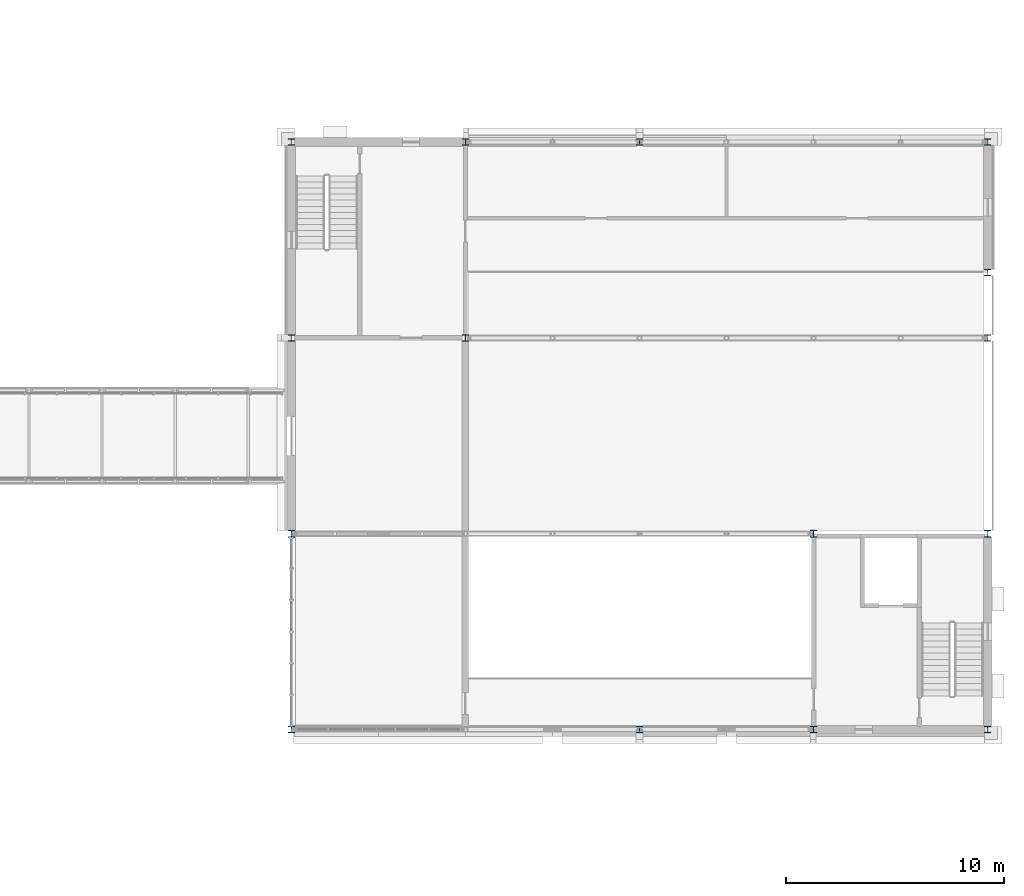
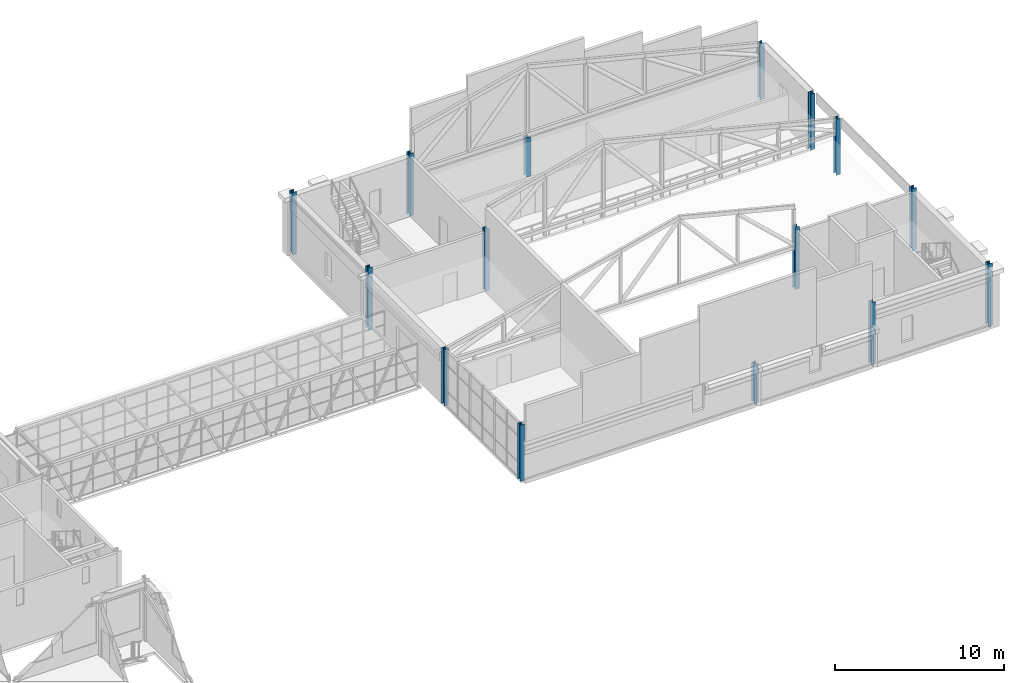
# One storey, part 13 of 149: 15 columns.
"""IFC4 building model written with IfcOpenShell, lengths in metres."""

from ifc_helpers import new_model, si_unit, direction, frame, origin, origin_2d, place, context, subcontext, project, spatial, i_section, extrude, material, material_profile, profile_set, type_object, element, save


model = new_model("IFC4")

# Units and contexts
model_context = context("Model", 3, precision=1e-05, world=origin(), true_north=direction((0.0, 1.0)))
body_context = subcontext(model_context, "Body", "Model", "MODEL_VIEW")
ifc_project = project(units=[si_unit("LENGTHUNIT", "METRE"), si_unit("AREAUNIT", "SQUARE_METRE"), si_unit("VOLUMEUNIT", "CUBIC_METRE"), si_unit("PLANEANGLEUNIT", "RADIAN"), si_unit("MASSUNIT", "GRAM", prefix="KILO")], contexts=[model_context])

# Site, building, storey
site_placement = place(None, origin())
site = spatial("IfcSite", under=ifc_project, at=site_placement, CompositionType="ELEMENT")
building_placement = place(site_placement, origin())
building = spatial("IfcBuilding", under=site, at=building_placement, Name="Kallimachos Central Library", CompositionType="ELEMENT")
storey_placement = place(building_placement, frame((0.0, 0.0, 9.89990234375)))
storey = spatial("IfcBuildingStorey", under=building, at=storey_placement, Name="L02", CompositionType="ELEMENT", Elevation=9.89990234375)

# Columns
ifc_material = material(Name="Steel S355J2", Category="steel")
ifc_material_profile = material_profile(ifc_material, i_section(OverallWidth=0.300048828125, OverallDepth=0.300048828125, WebThickness=0.010986328125, FlangeThickness=0.01904296875, FilletRadius=0.027099609375, at=origin_2d()), Name="HEB 300")
ifc_profile_set = profile_set([ifc_material_profile], Name="Steel S355J2")
column_type = type_object("IfcColumnType", Name="HEB 300 column", PredefinedType="COLUMN", material=ifc_profile_set)
column_1_placement = place(storey_placement, frame((138.0, 87.0, 0.0), z_axis=(0.0, 0.0, 1.0), x_axis=(1.0, 0.0, 0.0)))
element("IfcColumn", 1, at=column_1_placement, inside=storey, type_object=column_type, Name="V3-COL-L02-001", PredefinedType="COLUMN", context=body_context, shape_type="SweptSolid", body=[
    extrude(i_section(OverallWidth=0.300048828125, OverallDepth=0.300048828125, WebThickness=0.010986328125, FlangeThickness=0.01904296875, FilletRadius=0.027099609375, at=origin_2d()), origin(), (0.0, 0.0, 1.0), 4.050048828125),
])
column_2_placement = place(storey_placement, frame((170.0, 87.0, 0.0), z_axis=(0.0, 0.0, 1.0), x_axis=(1.0, 0.0, 0.0)))
element("IfcColumn", 2, at=column_2_placement, inside=storey, type_object=column_type, Name="V3-COL-L02-002", PredefinedType="COLUMN", context=body_context, shape_type="SweptSolid", body=[
    extrude(i_section(OverallWidth=0.300048828125, OverallDepth=0.300048828125, WebThickness=0.010986328125, FlangeThickness=0.01904296875, FilletRadius=0.027099609375, at=origin_2d()), origin(), (0.0, 0.0, 1.0), 4.5),
])
column_3_placement = place(storey_placement, frame((138.0, 96.0, 0.0), z_axis=(0.0, 0.0, 1.0), x_axis=(1.0, 0.0, 0.0)))
element("IfcColumn", 3, at=column_3_placement, inside=storey, type_object=column_type, Name="V3-COL-L02-003", PredefinedType="COLUMN", context=body_context, shape_type="SweptSolid", body=[
    extrude(i_section(OverallWidth=0.300048828125, OverallDepth=0.300048828125, WebThickness=0.010986328125, FlangeThickness=0.01904296875, FilletRadius=0.027099609375, at=origin_2d()), origin(), (0.0, 0.0, 1.0), 4.050048828125),
])
for number, where, z_axis, x_axis, name in (
    (4, (170.0, 96.0, 0.0), (0.0, 0.0, 1.0), (1.0, 0.0, 0.0), "V3-COL-L02-004"),
    (5, (138.0, 105.0, 0.0), (0.0, 0.0, 1.0), (1.0, 0.0, 0.0), "V3-COL-L02-005"),
):
    element("IfcColumn", number, at=place(storey_placement, frame(where, z_axis=z_axis, x_axis=x_axis)), inside=storey, type_object=column_type, Name=name, PredefinedType="COLUMN", context=body_context, shape_type="SweptSolid", body=[
        extrude(i_section(OverallWidth=0.300048828125, OverallDepth=0.300048828125, WebThickness=0.010986328125, FlangeThickness=0.01904296875, FilletRadius=0.027099609375, at=origin_2d()), origin(), (0.0, 0.0, 1.0), 4.5),
    ])
column_4_placement = place(storey_placement, frame((170.0, 105.0, 0.0), z_axis=(0.0, 0.0, 1.0), x_axis=(1.0, 0.0, 0.0)))
element("IfcColumn", 6, at=column_4_placement, inside=storey, type_object=column_type, Name="V3-COL-L02-006", PredefinedType="COLUMN", context=body_context, shape_type="SweptSolid", body=[
    extrude(i_section(OverallWidth=0.300048828125, OverallDepth=0.300048828125, WebThickness=0.010986328125, FlangeThickness=0.01904296875, FilletRadius=0.027099609375, at=origin_2d()), origin(), (0.0, 0.0, 1.0), 4.050048828125),
])
column_5_placement = place(storey_placement, frame((138.0, 114.0, 0.0), z_axis=(0.0, 0.0, 1.0), x_axis=(1.0, 0.0, 0.0)))
element("IfcColumn", 7, at=column_5_placement, inside=storey, type_object=column_type, Name="V3-COL-L02-007", PredefinedType="COLUMN", context=body_context, shape_type="SweptSolid", body=[
    extrude(i_section(OverallWidth=0.300048828125, OverallDepth=0.300048828125, WebThickness=0.010986328125, FlangeThickness=0.01904296875, FilletRadius=0.027099609375, at=origin_2d()), origin(), (0.0, 0.0, 1.0), 4.5),
])
column_6_placement = place(storey_placement, frame((170.0, 114.0, 0.0), z_axis=(0.0, 0.0, 1.0), x_axis=(1.0, 0.0, 0.0)))
element("IfcColumn", 8, at=column_6_placement, inside=storey, type_object=column_type, Name="V3-COL-L02-008", PredefinedType="COLUMN", context=body_context, shape_type="SweptSolid", body=[
    extrude(i_section(OverallWidth=0.300048828125, OverallDepth=0.300048828125, WebThickness=0.010986328125, FlangeThickness=0.01904296875, FilletRadius=0.027099609375, at=origin_2d()), origin(), (0.0, 0.0, 1.0), 4.050048828125),
])
for number, where, z_axis, x_axis, name in (
    (9, (146.0, 105.0, 0.0), (0.0, 0.0, 1.0), (1.0, 0.0, 0.0), "V3-COL-L02-009"),
    (10, (146.0, 114.0, 0.0), (0.0, 0.0, 1.0), (1.0, 0.0, 0.0), "V3-COL-L02-010"),
    (11, (162.0, 87.0, 0.0), (0.0, 0.0, 1.0), (1.0, 0.0, 0.0), "V3-COL-L02-011"),
    (12, (162.0, 96.0, 0.0), (0.0, 0.0, 1.0), (1.0, 0.0, 0.0), "V3-COL-L02-012"),
):
    element("IfcColumn", number, at=place(storey_placement, frame(where, z_axis=z_axis, x_axis=x_axis)), inside=storey, type_object=column_type, Name=name, PredefinedType="COLUMN", context=body_context, shape_type="SweptSolid", body=[
        extrude(i_section(OverallWidth=0.300048828125, OverallDepth=0.300048828125, WebThickness=0.010986328125, FlangeThickness=0.01904296875, FilletRadius=0.027099609375, at=origin_2d()), origin(), (0.0, 0.0, 1.0), 4.5),
    ])
for number, where, z_axis, x_axis, name in (
    (13, (154.0, 87.0, 0.0), (0.0, 0.0, 1.0), (1.0, 0.0, 0.0), "V3-COL-L02-013"),
    (14, (154.0, 114.0, 0.0), (0.0, 0.0, 1.0), (1.0, 0.0, 0.0), "V3-COL-L02-014"),
):
    element("IfcColumn", number, at=place(storey_placement, frame(where, z_axis=z_axis, x_axis=x_axis)), inside=storey, type_object=column_type, Name=name, PredefinedType="COLUMN", context=body_context, shape_type="SweptSolid", body=[
        extrude(i_section(OverallWidth=0.300048828125, OverallDepth=0.300048828125, WebThickness=0.010986328125, FlangeThickness=0.01904296875, FilletRadius=0.027099609375, at=origin_2d()), origin(), (0.0, 0.0, 1.0), 2.85009765625),
    ])
column_7_placement = place(storey_placement, frame((170.0, 108.0, 0.0), z_axis=(0.0, 0.0, 1.0), x_axis=(1.0, 0.0, 0.0)))
element("IfcColumn", 15, at=column_7_placement, inside=storey, type_object=column_type, Name="V3-COL-L02-015", PredefinedType="COLUMN", context=body_context, shape_type="SweptSolid", body=[
    extrude(i_section(OverallWidth=0.300048828125, OverallDepth=0.300048828125, WebThickness=0.010986328125, FlangeThickness=0.01904296875, FilletRadius=0.027099609375, at=origin_2d()), origin(), (0.0, 0.0, 1.0), 4.050048828125),
])

save(model, "model.ifc")
